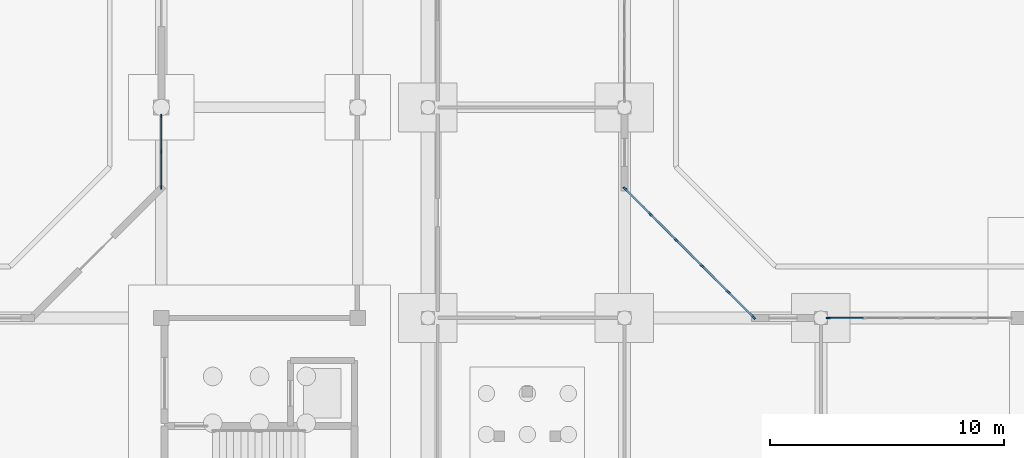
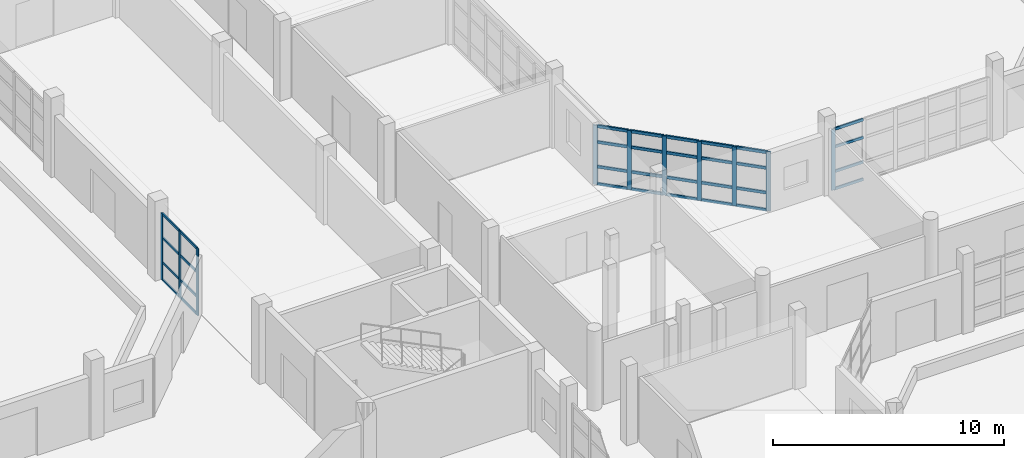
# One storey, part 25 of 88: 42 members, 3 elements without a shape of their own.
"""IFC4 building model written with IfcOpenShell, lengths in metres."""

from ifc_helpers import new_model, si_unit, direction, frame, origin, origin_2d, place, context, subcontext, project, spatial, rectangle, extrude, material, material_profile, profile_set, type_object, element, aggregate, save


model = new_model("IFC4")

# Units and contexts
model_context = context("Model", 3, precision=1e-05, world=origin(), true_north=direction((0.0, 1.0)))
body_context = subcontext(model_context, "Body", "Model", "MODEL_VIEW")
ifc_project = project(units=[si_unit("LENGTHUNIT", "METRE"), si_unit("AREAUNIT", "SQUARE_METRE"), si_unit("VOLUMEUNIT", "CUBIC_METRE"), si_unit("PLANEANGLEUNIT", "RADIAN"), si_unit("MASSUNIT", "GRAM", prefix="KILO")], contexts=[model_context])

# Site, building, storey
site_placement = place(None, origin())
site = spatial("IfcSite", under=ifc_project, at=site_placement, CompositionType="ELEMENT")
building_placement = place(site_placement, origin())
building = spatial("IfcBuilding", under=site, at=building_placement, Name="Vanh Quang Courtyard School", CompositionType="ELEMENT")
storey_placement = place(building_placement, origin())
storey = spatial("IfcBuildingStorey", under=building, at=storey_placement, Name="L00", CompositionType="ELEMENT", Elevation=0.0)

# Curtain wall, members
ifc_material_1 = material(Name="Thermally broken aluminium unitised curtain wall", Category="aluminium")
curtain_wall_type_1 = type_object("IfcCurtainWallType", Name="CW-SYS-12", PredefinedType="NOTDEFINED", material=ifc_material_1)
curtain_wall_1_placement = place(storey_placement, origin())
curtain_wall_1 = element("IfcCurtainWall", 1, at=curtain_wall_1_placement, inside=storey, type_object=curtain_wall_type_1, Name="Curtain Wall CW-12 (L00)", PredefinedType="NOTDEFINED")
ifc_material_2 = material(Name="Anodised aluminium 6063-T6", Category="aluminium")
ifc_material_profile_1 = material_profile(ifc_material_2, rectangle(XDim=0.06005859375, YDim=0.159912109375, at=origin_2d()), Name="ALU-MUL 60x160")
ifc_profile_set_1 = profile_set([ifc_material_profile_1], Name="Anodised aluminium 6063-T6")
member_type_1 = type_object("IfcMemberType", Name="CW-MUL-60x160", PredefinedType="MULLION", material=ifc_profile_set_1)
member_1_placement = place(storey_placement, frame((66.0, 46.97412109375, 0.0), z_axis=(0.0, 0.0, 1.0), x_axis=(-1.0, 0.0, 0.0)))
member_1 = element("IfcMember", 2, at=member_1_placement, type_object=member_type_1, Name="CW-12 mullion 1", PredefinedType="MULLION", context=body_context, shape_type="SweptSolid", body=[
    extrude(rectangle(XDim=0.06005859375, YDim=0.159912109375, at=origin_2d()), origin(), (0.0, 0.0, 1.0), 3.52001953125),
])
member_2_placement = place(storey_placement, frame((66.0, 48.505615234375, 0.0), z_axis=(0.0, 0.0, 1.0), x_axis=(-1.0, 0.0, 0.0)))
member_2 = element("IfcMember", 3, at=member_2_placement, type_object=member_type_1, Name="CW-12 mullion 2", PredefinedType="MULLION", context=body_context, shape_type="SweptSolid", body=[
    extrude(rectangle(XDim=0.06005859375, YDim=0.159912109375, at=origin_2d()), origin(), (0.0, 0.0, 1.0), 3.52001953125),
])
member_3_placement = place(storey_placement, frame((66.0, 50.037109375, 0.0), z_axis=(0.0, 0.0, 1.0), x_axis=(-1.0, 0.0, 0.0)))
member_3 = element("IfcMember", 4, at=member_3_placement, type_object=member_type_1, Name="CW-12 mullion 3", PredefinedType="MULLION", context=body_context, shape_type="SweptSolid", body=[
    extrude(rectangle(XDim=0.06005859375, YDim=0.159912109375, at=origin_2d()), origin(), (0.0, 0.0, 1.0), 3.52001953125),
])

# Curtain wall, member
curtain_wall_type_2 = type_object("IfcCurtainWallType", Name="CW-SYS-01", PredefinedType="NOTDEFINED", material=ifc_material_1)
curtain_wall_2_placement = place(storey_placement, origin())
curtain_wall_2 = element("IfcCurtainWall", 5, at=curtain_wall_2_placement, inside=storey, type_object=curtain_wall_type_2, Name="Curtain Wall CW-01 (L00)", PredefinedType="NOTDEFINED")
ifc_material_profile_2 = material_profile(ifc_material_2, rectangle(XDim=0.070068359375, YDim=0.179931640625, at=origin_2d()), Name="ALU-MUL 70x180")
ifc_profile_set_2 = profile_set([ifc_material_profile_2], Name="Anodised aluminium 6063-T6")
member_type_2 = type_object("IfcMemberType", Name="CW-MUL-70x180", PredefinedType="MULLION", material=ifc_profile_set_2)
member_4_placement = place(storey_placement, frame((94.51806640625, 41.39990234375, 0.0), z_axis=(0.0, 0.0, 1.0), x_axis=(0.0, 1.0, 0.0)))
member_4 = element("IfcMember", 6, at=member_4_placement, type_object=member_type_2, Name="CW-01 mullion 1", PredefinedType="MULLION", context=body_context, shape_type="SweptSolid", body=[
    extrude(rectangle(XDim=0.070068359375, YDim=0.179931640625, at=origin_2d()), origin(), (0.0, 0.0, 1.0), 3.219970703125),
])

# Curtain wall, members
curtain_wall_type_3 = type_object("IfcCurtainWallType", Name="CW-SYS-17", PredefinedType="NOTDEFINED", material=ifc_material_1)
curtain_wall_3_placement = place(storey_placement, origin())
curtain_wall_3 = element("IfcCurtainWall", 7, at=curtain_wall_3_placement, inside=storey, type_object=curtain_wall_type_3, Name="Curtain Wall CW-17 (L00)", PredefinedType="NOTDEFINED")
ifc_material_profile_3 = material_profile(ifc_material_2, rectangle(XDim=0.080078125, YDim=0.199951171875, at=origin_2d()), Name="ALU-MUL 80x200")
ifc_profile_set_3 = profile_set([ifc_material_profile_3], Name="Anodised aluminium 6063-T6")
member_type_3 = type_object("IfcMemberType", Name="CW-MUL-80x200", PredefinedType="MULLION", material=ifc_profile_set_3)
member_5_placement = place(storey_placement, frame((85.828369140625, 46.915771484375, 0.0), z_axis=(0.0, 0.0, 1.0), x_axis=(0.707106781187, 0.707106781187, 0.0)))
member_5 = element("IfcMember", 8, at=member_5_placement, type_object=member_type_3, Name="CW-17 mullion 1", PredefinedType="MULLION", context=body_context, shape_type="SweptSolid", body=[
    extrude(rectangle(XDim=0.080078125, YDim=0.199951171875, at=origin_2d()), origin(), (0.0, 0.0, 1.0), 3.1201171875),
])
member_6_placement = place(storey_placement, frame((86.90869140625, 45.835205078125, 0.0), z_axis=(0.0, 0.0, 1.0), x_axis=(0.707106781187, 0.707106781187, 0.0)))
member_6 = element("IfcMember", 9, at=member_6_placement, type_object=member_type_3, Name="CW-17 mullion 2", PredefinedType="MULLION", context=body_context, shape_type="SweptSolid", body=[
    extrude(rectangle(XDim=0.080078125, YDim=0.199951171875, at=origin_2d()), origin(), (0.0, 0.0, 1.0), 3.1201171875),
])
member_7_placement = place(storey_placement, frame((88.017578125, 44.726318359375, 0.0), z_axis=(0.0, 0.0, 1.0), x_axis=(0.707106781187, 0.707106781187, 0.0)))
member_7 = element("IfcMember", 10, at=member_7_placement, type_object=member_type_3, Name="CW-17 mullion 3", PredefinedType="MULLION", context=body_context, shape_type="SweptSolid", body=[
    extrude(rectangle(XDim=0.080078125, YDim=0.199951171875, at=origin_2d()), origin(), (0.0, 0.0, 1.0), 3.1201171875),
])
member_8_placement = place(storey_placement, frame((89.12646484375, 43.61767578125, 0.0), z_axis=(0.0, 0.0, 1.0), x_axis=(0.707106781187, 0.707106781187, 0.0)))
member_8 = element("IfcMember", 11, at=member_8_placement, type_object=member_type_3, Name="CW-17 mullion 4", PredefinedType="MULLION", context=body_context, shape_type="SweptSolid", body=[
    extrude(rectangle(XDim=0.080078125, YDim=0.199951171875, at=origin_2d()), origin(), (0.0, 0.0, 1.0), 3.1201171875),
])
member_9_placement = place(storey_placement, frame((90.235107421875, 42.5087890625, 0.0), z_axis=(0.0, 0.0, 1.0), x_axis=(0.707106781187, 0.707106781187, 0.0)))
member_9 = element("IfcMember", 12, at=member_9_placement, type_object=member_type_3, Name="CW-17 mullion 5", PredefinedType="MULLION", context=body_context, shape_type="SweptSolid", body=[
    extrude(rectangle(XDim=0.080078125, YDim=0.199951171875, at=origin_2d()), origin(), (0.0, 0.0, 1.0), 3.1201171875),
])
member_10_placement = place(storey_placement, frame((91.315673828125, 41.42822265625, 0.0), z_axis=(0.0, 0.0, 1.0), x_axis=(0.707106781187, 0.707106781187, 0.0)))
member_10 = element("IfcMember", 13, at=member_10_placement, type_object=member_type_3, Name="CW-17 mullion 6", PredefinedType="MULLION", context=body_context, shape_type="SweptSolid", body=[
    extrude(rectangle(XDim=0.080078125, YDim=0.199951171875, at=origin_2d()), origin(), (0.0, 0.0, 1.0), 3.1201171875),
])

# Member
ifc_material_profile_4 = material_profile(ifc_material_2, rectangle(XDim=0.06005859375, YDim=0.1201171875, at=origin_2d()), Name="ALU-TRN 60x120")
ifc_profile_set_4 = profile_set([ifc_material_profile_4], Name="Anodised aluminium 6063-T6")
member_type_4 = type_object("IfcMemberType", Name="CW-TRN-60x120", PredefinedType="USERDEFINED", material=ifc_profile_set_4)
member_11_placement = place(storey_placement, frame((66.0, 47.00390625, 0.030029296875), z_axis=(0.0, 1.0, 0.0), x_axis=(-1.0, 0.0, 0.0)))
member_11 = element("IfcMember", 14, at=member_11_placement, type_object=member_type_4, Name="CW-12 transom 1.1", ObjectType="TRANSOM", PredefinedType="USERDEFINED", context=body_context, shape_type="SweptSolid", body=[
    extrude(rectangle(XDim=0.06005859375, YDim=0.1201171875, at=origin_2d()), origin(), (0.0, 0.0, 1.0), 1.4716796875),
])

member_12_placement = place(storey_placement, frame((66.0, 47.00390625, 0.949951171875), z_axis=(0.0, 1.0, 0.0), x_axis=(-1.0, 0.0, 0.0)))
member_12 = element("IfcMember", 15, at=member_12_placement, type_object=member_type_4, Name="CW-12 transom 1.2", ObjectType="TRANSOM", PredefinedType="USERDEFINED", context=body_context, shape_type="SweptSolid", body=[
    extrude(rectangle(XDim=0.06005859375, YDim=0.1201171875, at=origin_2d()), origin(), (0.0, 0.0, 1.0), 1.4716796875),
])

member_13_placement = place(storey_placement, frame((66.0, 47.00390625, 2.25), z_axis=(0.0, 1.0, 0.0), x_axis=(-1.0, 0.0, 0.0)))
member_13 = element("IfcMember", 16, at=member_13_placement, type_object=member_type_4, Name="CW-12 transom 1.3", ObjectType="TRANSOM", PredefinedType="USERDEFINED", context=body_context, shape_type="SweptSolid", body=[
    extrude(rectangle(XDim=0.06005859375, YDim=0.1201171875, at=origin_2d()), origin(), (0.0, 0.0, 1.0), 1.4716796875),
])

member_14_placement = place(storey_placement, frame((66.0, 47.00390625, 3.489990234375), z_axis=(0.0, 1.0, 0.0), x_axis=(-1.0, 0.0, 0.0)))
member_14 = element("IfcMember", 17, at=member_14_placement, type_object=member_type_4, Name="CW-12 transom 1.4", ObjectType="TRANSOM", PredefinedType="USERDEFINED", context=body_context, shape_type="SweptSolid", body=[
    extrude(rectangle(XDim=0.06005859375, YDim=0.1201171875, at=origin_2d()), origin(), (0.0, 0.0, 1.0), 1.4716796875),
])

member_15_placement = place(storey_placement, frame((66.0, 48.535400390625, 0.030029296875), z_axis=(0.0, 1.0, 0.0), x_axis=(-1.0, 0.0, 0.0)))
member_15 = element("IfcMember", 18, at=member_15_placement, type_object=member_type_4, Name="CW-12 transom 2.1", ObjectType="TRANSOM", PredefinedType="USERDEFINED", context=body_context, shape_type="SweptSolid", body=[
    extrude(rectangle(XDim=0.06005859375, YDim=0.1201171875, at=origin_2d()), origin(), (0.0, 0.0, 1.0), 1.4716796875),
])

member_16_placement = place(storey_placement, frame((66.0, 48.535400390625, 0.949951171875), z_axis=(0.0, 1.0, 0.0), x_axis=(-1.0, 0.0, 0.0)))
member_16 = element("IfcMember", 19, at=member_16_placement, type_object=member_type_4, Name="CW-12 transom 2.2", ObjectType="TRANSOM", PredefinedType="USERDEFINED", context=body_context, shape_type="SweptSolid", body=[
    extrude(rectangle(XDim=0.06005859375, YDim=0.1201171875, at=origin_2d()), origin(), (0.0, 0.0, 1.0), 1.4716796875),
])

member_17_placement = place(storey_placement, frame((66.0, 48.535400390625, 2.25), z_axis=(0.0, 1.0, 0.0), x_axis=(-1.0, 0.0, 0.0)))
member_17 = element("IfcMember", 20, at=member_17_placement, type_object=member_type_4, Name="CW-12 transom 2.3", ObjectType="TRANSOM", PredefinedType="USERDEFINED", context=body_context, shape_type="SweptSolid", body=[
    extrude(rectangle(XDim=0.06005859375, YDim=0.1201171875, at=origin_2d()), origin(), (0.0, 0.0, 1.0), 1.4716796875),
])

member_18_placement = place(storey_placement, frame((66.0, 48.535400390625, 3.489990234375), z_axis=(0.0, 1.0, 0.0), x_axis=(-1.0, 0.0, 0.0)))
member_18 = element("IfcMember", 21, at=member_18_placement, type_object=member_type_4, Name="CW-12 transom 2.4", ObjectType="TRANSOM", PredefinedType="USERDEFINED", context=body_context, shape_type="SweptSolid", body=[
    extrude(rectangle(XDim=0.06005859375, YDim=0.1201171875, at=origin_2d()), origin(), (0.0, 0.0, 1.0), 1.4716796875),
])

aggregate(curtain_wall_1, [member_1, member_2, member_3, member_11, member_12, member_13, member_14, member_15, member_16, member_17, member_18])

ifc_material_profile_5 = material_profile(ifc_material_2, rectangle(XDim=0.070068359375, YDim=0.139892578125, at=origin_2d()), Name="ALU-TRN 70x140")
ifc_profile_set_5 = profile_set([ifc_material_profile_5], Name="Anodised aluminium 6063-T6")
member_type_5 = type_object("IfcMemberType", Name="CW-TRN-70x140", PredefinedType="USERDEFINED", material=ifc_profile_set_5)
member_19_placement = place(storey_placement, frame((94.552978515625, 41.39990234375, 0.034912109375), z_axis=(1.0, 0.0, 0.0), x_axis=(0.0, 1.0, 0.0)))
member_19 = element("IfcMember", 22, at=member_19_placement, type_object=member_type_5, Name="CW-01 transom 1.1", ObjectType="TRANSOM", PredefinedType="USERDEFINED", context=body_context, shape_type="SweptSolid", body=[
    extrude(rectangle(XDim=0.070068359375, YDim=0.139892578125, at=origin_2d()), origin(), (0.0, 0.0, 1.0), 1.4619140625),
])

member_20_placement = place(storey_placement, frame((94.552978515625, 41.39990234375, 0.949951171875), z_axis=(1.0, 0.0, 0.0), x_axis=(0.0, 1.0, 0.0)))
member_20 = element("IfcMember", 23, at=member_20_placement, type_object=member_type_5, Name="CW-01 transom 1.2", ObjectType="TRANSOM", PredefinedType="USERDEFINED", context=body_context, shape_type="SweptSolid", body=[
    extrude(rectangle(XDim=0.070068359375, YDim=0.139892578125, at=origin_2d()), origin(), (0.0, 0.0, 1.0), 1.4619140625),
])

member_21_placement = place(storey_placement, frame((94.552978515625, 41.39990234375, 2.25), z_axis=(1.0, 0.0, 0.0), x_axis=(0.0, 1.0, 0.0)))
member_21 = element("IfcMember", 24, at=member_21_placement, type_object=member_type_5, Name="CW-01 transom 1.3", ObjectType="TRANSOM", PredefinedType="USERDEFINED", context=body_context, shape_type="SweptSolid", body=[
    extrude(rectangle(XDim=0.070068359375, YDim=0.139892578125, at=origin_2d()), origin(), (0.0, 0.0, 1.0), 1.4619140625),
])

member_22_placement = place(storey_placement, frame((94.552978515625, 41.39990234375, 3.18505859375), z_axis=(1.0, 0.0, 0.0), x_axis=(0.0, 1.0, 0.0)))
member_22 = element("IfcMember", 25, at=member_22_placement, type_object=member_type_5, Name="CW-01 transom 1.4", ObjectType="TRANSOM", PredefinedType="USERDEFINED", context=body_context, shape_type="SweptSolid", body=[
    extrude(rectangle(XDim=0.070068359375, YDim=0.139892578125, at=origin_2d()), origin(), (0.0, 0.0, 1.0), 1.4619140625),
])

aggregate(curtain_wall_2, [member_4, member_19, member_20, member_21, member_22])

ifc_material_profile_6 = material_profile(ifc_material_2, rectangle(XDim=0.080078125, YDim=0.14990234375, at=origin_2d()), Name="ALU-TRN 80x150")
ifc_profile_set_6 = profile_set([ifc_material_profile_6], Name="Anodised aluminium 6063-T6")
member_type_6 = type_object("IfcMemberType", Name="CW-TRN-80x150", PredefinedType="USERDEFINED", material=ifc_profile_set_6)
member_23_placement = place(storey_placement, frame((85.856689453125, 46.887451171875, 0.0400390625), z_axis=(0.707106781187, -0.707106781187, 0.0), x_axis=(0.707106781187, 0.707106781187, 0.0)))
member_23 = element("IfcMember", 26, at=member_23_placement, type_object=member_type_6, Name="CW-17 transom 1.1", ObjectType="TRANSOM", PredefinedType="USERDEFINED", context=body_context, shape_type="SweptSolid", body=[
    extrude(rectangle(XDim=0.080078125, YDim=0.14990234375, at=origin_2d()), origin(), (0.0, 0.0, 1.0), 1.447998046875),
])

member_24_placement = place(storey_placement, frame((85.856689453125, 46.887451171875, 0.949951171875), z_axis=(0.707106781187, -0.707106781187, 0.0), x_axis=(0.707106781187, 0.707106781187, 0.0)))
member_24 = element("IfcMember", 27, at=member_24_placement, type_object=member_type_6, Name="CW-17 transom 1.2", ObjectType="TRANSOM", PredefinedType="USERDEFINED", context=body_context, shape_type="SweptSolid", body=[
    extrude(rectangle(XDim=0.080078125, YDim=0.14990234375, at=origin_2d()), origin(), (0.0, 0.0, 1.0), 1.447998046875),
])

member_25_placement = place(storey_placement, frame((85.856689453125, 46.887451171875, 2.25), z_axis=(0.707106781187, -0.707106781187, 0.0), x_axis=(0.707106781187, 0.707106781187, 0.0)))
member_25 = element("IfcMember", 28, at=member_25_placement, type_object=member_type_6, Name="CW-17 transom 1.3", ObjectType="TRANSOM", PredefinedType="USERDEFINED", context=body_context, shape_type="SweptSolid", body=[
    extrude(rectangle(XDim=0.080078125, YDim=0.14990234375, at=origin_2d()), origin(), (0.0, 0.0, 1.0), 1.447998046875),
])

member_26_placement = place(storey_placement, frame((85.856689453125, 46.887451171875, 3.080078125), z_axis=(0.707106781187, -0.707106781187, 0.0), x_axis=(0.707106781187, 0.707106781187, 0.0)))
member_26 = element("IfcMember", 29, at=member_26_placement, type_object=member_type_6, Name="CW-17 transom 1.4", ObjectType="TRANSOM", PredefinedType="USERDEFINED", context=body_context, shape_type="SweptSolid", body=[
    extrude(rectangle(XDim=0.080078125, YDim=0.14990234375, at=origin_2d()), origin(), (0.0, 0.0, 1.0), 1.447998046875),
])

member_27_placement = place(storey_placement, frame((86.93701171875, 45.806884765625, 0.0400390625), z_axis=(0.707106781187, -0.707106781187, 0.0), x_axis=(0.707106781187, 0.707106781187, 0.0)))
member_27 = element("IfcMember", 30, at=member_27_placement, type_object=member_type_6, Name="CW-17 transom 2.1", ObjectType="TRANSOM", PredefinedType="USERDEFINED", context=body_context, shape_type="SweptSolid", body=[
    extrude(rectangle(XDim=0.080078125, YDim=0.14990234375, at=origin_2d()), origin(), (0.0, 0.0, 1.0), 1.488037109375),
])

member_28_placement = place(storey_placement, frame((86.93701171875, 45.806884765625, 0.949951171875), z_axis=(0.707106781187, -0.707106781187, 0.0), x_axis=(0.707106781187, 0.707106781187, 0.0)))
member_28 = element("IfcMember", 31, at=member_28_placement, type_object=member_type_6, Name="CW-17 transom 2.2", ObjectType="TRANSOM", PredefinedType="USERDEFINED", context=body_context, shape_type="SweptSolid", body=[
    extrude(rectangle(XDim=0.080078125, YDim=0.14990234375, at=origin_2d()), origin(), (0.0, 0.0, 1.0), 1.488037109375),
])

member_29_placement = place(storey_placement, frame((86.93701171875, 45.806884765625, 2.25), z_axis=(0.707106781187, -0.707106781187, 0.0), x_axis=(0.707106781187, 0.707106781187, 0.0)))
member_29 = element("IfcMember", 32, at=member_29_placement, type_object=member_type_6, Name="CW-17 transom 2.3", ObjectType="TRANSOM", PredefinedType="USERDEFINED", context=body_context, shape_type="SweptSolid", body=[
    extrude(rectangle(XDim=0.080078125, YDim=0.14990234375, at=origin_2d()), origin(), (0.0, 0.0, 1.0), 1.488037109375),
])

member_30_placement = place(storey_placement, frame((86.93701171875, 45.806884765625, 3.080078125), z_axis=(0.707106781187, -0.707106781187, 0.0), x_axis=(0.707106781187, 0.707106781187, 0.0)))
member_30 = element("IfcMember", 33, at=member_30_placement, type_object=member_type_6, Name="CW-17 transom 2.4", ObjectType="TRANSOM", PredefinedType="USERDEFINED", context=body_context, shape_type="SweptSolid", body=[
    extrude(rectangle(XDim=0.080078125, YDim=0.14990234375, at=origin_2d()), origin(), (0.0, 0.0, 1.0), 1.488037109375),
])

member_31_placement = place(storey_placement, frame((88.0458984375, 44.697998046875, 0.0400390625), z_axis=(0.707188816893, -0.707024735961, 0.0), x_axis=(0.707024735961, 0.707188816893, 0.0)))
member_31 = element("IfcMember", 34, at=member_31_placement, type_object=member_type_6, Name="CW-17 transom 3.1", ObjectType="TRANSOM", PredefinedType="USERDEFINED", context=body_context, shape_type="SweptSolid", body=[
    extrude(rectangle(XDim=0.080078125, YDim=0.14990234375, at=origin_2d()), origin(), (0.0, 0.0, 1.0), 1.488037109375),
])

member_32_placement = place(storey_placement, frame((88.0458984375, 44.697998046875, 0.949951171875), z_axis=(0.707188816893, -0.707024735961, 0.0), x_axis=(0.707024735961, 0.707188816893, 0.0)))
member_32 = element("IfcMember", 35, at=member_32_placement, type_object=member_type_6, Name="CW-17 transom 3.2", ObjectType="TRANSOM", PredefinedType="USERDEFINED", context=body_context, shape_type="SweptSolid", body=[
    extrude(rectangle(XDim=0.080078125, YDim=0.14990234375, at=origin_2d()), origin(), (0.0, 0.0, 1.0), 1.488037109375),
])

member_33_placement = place(storey_placement, frame((88.0458984375, 44.697998046875, 2.25), z_axis=(0.707188816893, -0.707024735961, 0.0), x_axis=(0.707024735961, 0.707188816893, 0.0)))
member_33 = element("IfcMember", 36, at=member_33_placement, type_object=member_type_6, Name="CW-17 transom 3.3", ObjectType="TRANSOM", PredefinedType="USERDEFINED", context=body_context, shape_type="SweptSolid", body=[
    extrude(rectangle(XDim=0.080078125, YDim=0.14990234375, at=origin_2d()), origin(), (0.0, 0.0, 1.0), 1.488037109375),
])

member_34_placement = place(storey_placement, frame((88.0458984375, 44.697998046875, 3.080078125), z_axis=(0.707188816893, -0.707024735961, 0.0), x_axis=(0.707024735961, 0.707188816893, 0.0)))
member_34 = element("IfcMember", 37, at=member_34_placement, type_object=member_type_6, Name="CW-17 transom 3.4", ObjectType="TRANSOM", PredefinedType="USERDEFINED", context=body_context, shape_type="SweptSolid", body=[
    extrude(rectangle(XDim=0.080078125, YDim=0.14990234375, at=origin_2d()), origin(), (0.0, 0.0, 1.0), 1.488037109375),
])

member_35_placement = place(storey_placement, frame((89.15478515625, 43.58935546875, 0.0400390625), z_axis=(0.707106781187, -0.707106781187, 0.0), x_axis=(0.707106781187, 0.707106781187, 0.0)))
member_35 = element("IfcMember", 38, at=member_35_placement, type_object=member_type_6, Name="CW-17 transom 4.1", ObjectType="TRANSOM", PredefinedType="USERDEFINED", context=body_context, shape_type="SweptSolid", body=[
    extrude(rectangle(XDim=0.080078125, YDim=0.14990234375, at=origin_2d()), origin(), (0.0, 0.0, 1.0), 1.488037109375),
])

member_36_placement = place(storey_placement, frame((89.15478515625, 43.58935546875, 0.949951171875), z_axis=(0.707106781187, -0.707106781187, 0.0), x_axis=(0.707106781187, 0.707106781187, 0.0)))
member_36 = element("IfcMember", 39, at=member_36_placement, type_object=member_type_6, Name="CW-17 transom 4.2", ObjectType="TRANSOM", PredefinedType="USERDEFINED", context=body_context, shape_type="SweptSolid", body=[
    extrude(rectangle(XDim=0.080078125, YDim=0.14990234375, at=origin_2d()), origin(), (0.0, 0.0, 1.0), 1.488037109375),
])

member_37_placement = place(storey_placement, frame((89.15478515625, 43.58935546875, 2.25), z_axis=(0.707106781187, -0.707106781187, 0.0), x_axis=(0.707106781187, 0.707106781187, 0.0)))
member_37 = element("IfcMember", 40, at=member_37_placement, type_object=member_type_6, Name="CW-17 transom 4.3", ObjectType="TRANSOM", PredefinedType="USERDEFINED", context=body_context, shape_type="SweptSolid", body=[
    extrude(rectangle(XDim=0.080078125, YDim=0.14990234375, at=origin_2d()), origin(), (0.0, 0.0, 1.0), 1.488037109375),
])

member_38_placement = place(storey_placement, frame((89.15478515625, 43.58935546875, 3.080078125), z_axis=(0.707106781187, -0.707106781187, 0.0), x_axis=(0.707106781187, 0.707106781187, 0.0)))
member_38 = element("IfcMember", 41, at=member_38_placement, type_object=member_type_6, Name="CW-17 transom 4.4", ObjectType="TRANSOM", PredefinedType="USERDEFINED", context=body_context, shape_type="SweptSolid", body=[
    extrude(rectangle(XDim=0.080078125, YDim=0.14990234375, at=origin_2d()), origin(), (0.0, 0.0, 1.0), 1.488037109375),
])

member_39_placement = place(storey_placement, frame((90.263427734375, 42.48046875, 0.0400390625), z_axis=(0.707106781187, -0.707106781187, 0.0), x_axis=(0.707106781187, 0.707106781187, 0.0)))
member_39 = element("IfcMember", 42, at=member_39_placement, type_object=member_type_6, Name="CW-17 transom 5.1", ObjectType="TRANSOM", PredefinedType="USERDEFINED", context=body_context, shape_type="SweptSolid", body=[
    extrude(rectangle(XDim=0.080078125, YDim=0.14990234375, at=origin_2d()), origin(), (0.0, 0.0, 1.0), 1.447998046875),
])

member_40_placement = place(storey_placement, frame((90.263427734375, 42.48046875, 0.949951171875), z_axis=(0.707106781187, -0.707106781187, 0.0), x_axis=(0.707106781187, 0.707106781187, 0.0)))
member_40 = element("IfcMember", 43, at=member_40_placement, type_object=member_type_6, Name="CW-17 transom 5.2", ObjectType="TRANSOM", PredefinedType="USERDEFINED", context=body_context, shape_type="SweptSolid", body=[
    extrude(rectangle(XDim=0.080078125, YDim=0.14990234375, at=origin_2d()), origin(), (0.0, 0.0, 1.0), 1.447998046875),
])

member_41_placement = place(storey_placement, frame((90.263427734375, 42.48046875, 2.25), z_axis=(0.707106781187, -0.707106781187, 0.0), x_axis=(0.707106781187, 0.707106781187, 0.0)))
member_41 = element("IfcMember", 44, at=member_41_placement, type_object=member_type_6, Name="CW-17 transom 5.3", ObjectType="TRANSOM", PredefinedType="USERDEFINED", context=body_context, shape_type="SweptSolid", body=[
    extrude(rectangle(XDim=0.080078125, YDim=0.14990234375, at=origin_2d()), origin(), (0.0, 0.0, 1.0), 1.447998046875),
])

member_42_placement = place(storey_placement, frame((90.263427734375, 42.48046875, 3.080078125), z_axis=(0.707106781187, -0.707106781187, 0.0), x_axis=(0.707106781187, 0.707106781187, 0.0)))
member_42 = element("IfcMember", 45, at=member_42_placement, type_object=member_type_6, Name="CW-17 transom 5.4", ObjectType="TRANSOM", PredefinedType="USERDEFINED", context=body_context, shape_type="SweptSolid", body=[
    extrude(rectangle(XDim=0.080078125, YDim=0.14990234375, at=origin_2d()), origin(), (0.0, 0.0, 1.0), 1.447998046875),
])

aggregate(curtain_wall_3, [member_5, member_6, member_7, member_8, member_9, member_10, member_23, member_24, member_25, member_26, member_27, member_28, member_29, member_30, member_31, member_32, member_33, member_34, member_35, member_36, member_37, member_38, member_39, member_40, member_41, member_42])

save(model, "model.ifc")
